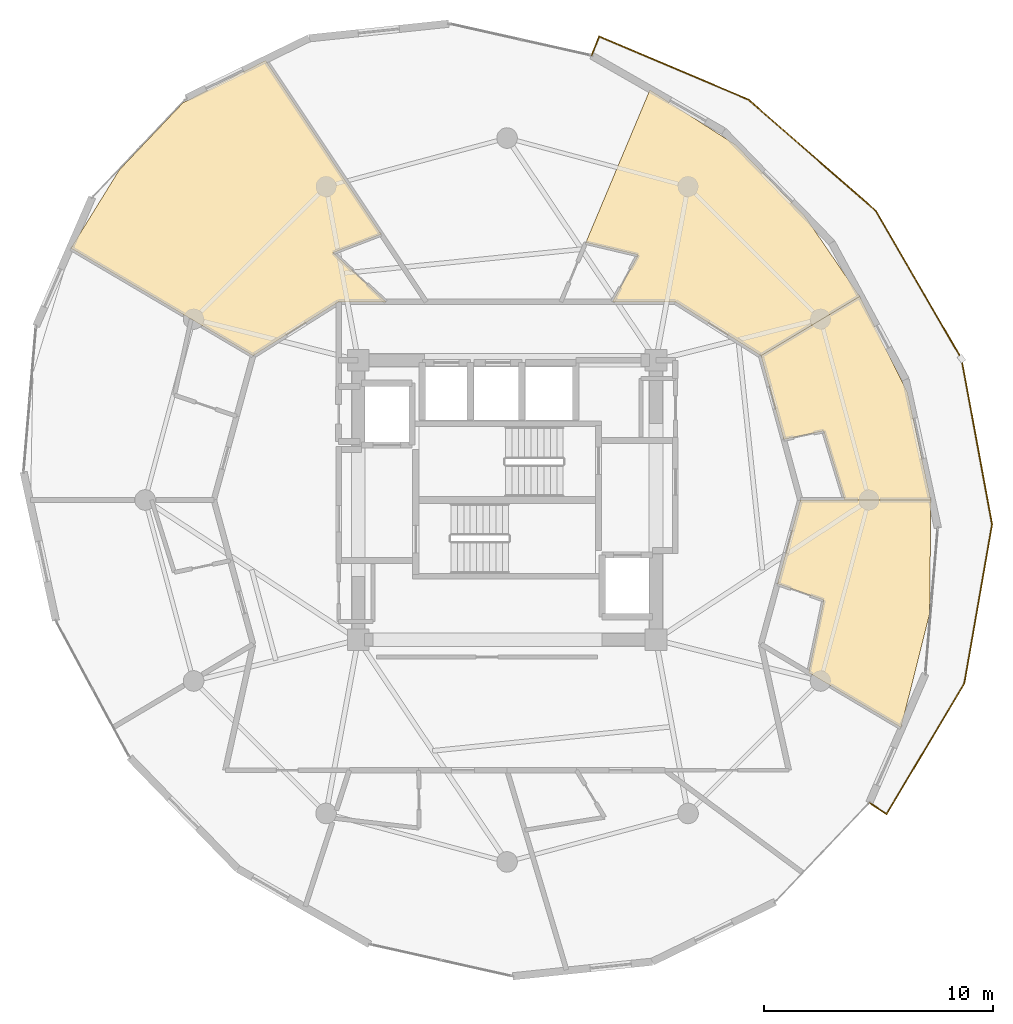
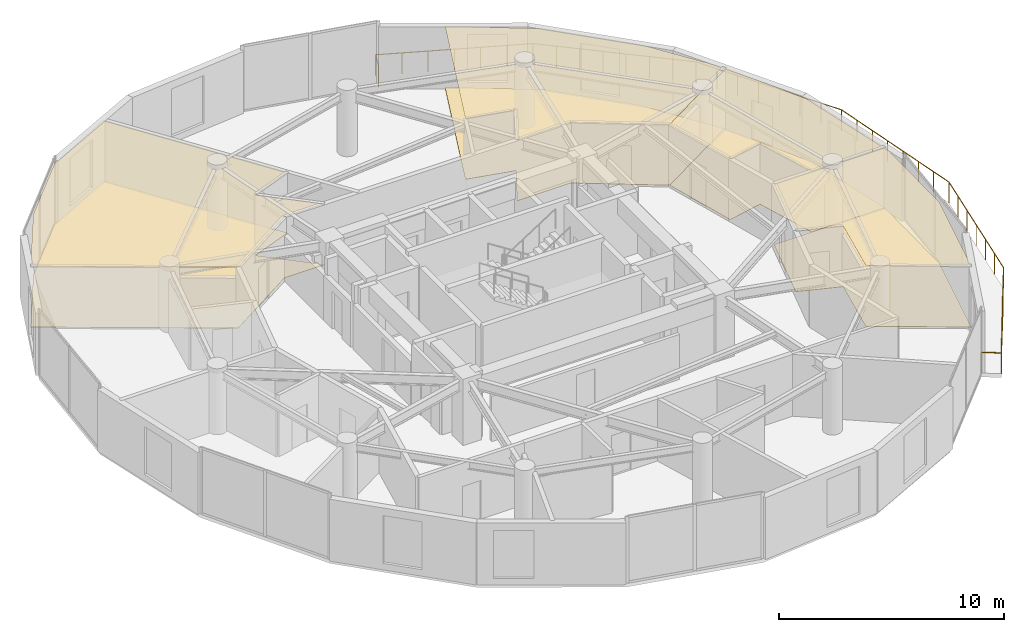
# One storey, part 23 of 23: 8 coverings, 1 railing.
"""IFC4 building model written with IfcOpenShell, lengths in metres."""

from ifc_helpers import new_model, si_unit, direction, frame, origin, origin_2d, place, context, subcontext, project, spatial, polyline, circle, outline, extrude, material, layer, layer_set, type_object, element, save


model = new_model("IFC4")

# Units and contexts
model_context = context("Model", 3, precision=1e-05, world=origin(), true_north=direction((0.0, 1.0)))
body_context = subcontext(model_context, "Body", "Model", "MODEL_VIEW")
ifc_project = project(units=[si_unit("LENGTHUNIT", "METRE"), si_unit("AREAUNIT", "SQUARE_METRE"), si_unit("VOLUMEUNIT", "CUBIC_METRE"), si_unit("PLANEANGLEUNIT", "RADIAN"), si_unit("MASSUNIT", "GRAM", prefix="KILO")], contexts=[model_context])

# Site, building, storey
site_placement = place(None, origin())
site = spatial("IfcSite", under=ifc_project, at=site_placement, CompositionType="ELEMENT")
building_placement = place(site_placement, origin())
building = spatial("IfcBuilding", under=site, at=building_placement, Name="Solvirekh Grand Hotel", CompositionType="ELEMENT")
storey_placement = place(building_placement, frame((0.0, 0.0, 180.39990234375)))
storey = spatial("IfcBuildingStorey", under=building, at=storey_placement, Name="L46", CompositionType="ELEMENT", Elevation=180.39990234375)

# Coverings
ifc_material_1 = material(Name="Acoustic Mineral Ceiling Tile")
ifc_layer_1 = layer(ifc_material_1, 0.02490234375)
ifc_layer_set_1 = layer_set([ifc_layer_1], Name="Acoustic Mineral Ceiling Tile")
covering_type_1 = type_object("IfcCoveringType", Name="Cov_Ceiling_Acoustic", PredefinedType="CEILING", material=ifc_layer_set_1)
covering_1_placement = place(storey_placement, frame((0.0, 0.0, 3.31005859375)))
element("IfcCovering", 1, at=covering_1_placement, inside=storey, type_object=covering_type_1, Name="L46 Deluxe Guestroom 4801 acoustic ceiling", PredefinedType="CEILING", context=body_context, shape_type="SweptSolid", body=[
    extrude(outline(polyline([(2.35205078125, 8.64990234375), (3.43896484375, 11.239013671875), (5.721923828125, 10.698974609375), (4.60205078125, 8.64990234375), (7.35009765625, 8.64990234375), (11.0849609375, 6.300048828125), (15.39404296875, 8.887939453125), (13.0029296875, 12.382080078125), (9.986083984375, 15.4951171875), (6.23291015625, 17.89794921875), (2.35205078125, 8.64990234375)])), origin(), (0.0, 0.0, 1.0), 0.01806640625),
])
covering_2_placement = place(storey_placement, frame((0.0, 0.0, 3.31005859375)))
element("IfcCovering", 2, at=covering_2_placement, inside=storey, type_object=covering_type_1, Name="L46 Deluxe Guestroom 4802 acoustic ceiling", PredefinedType="CEILING", context=body_context, shape_type="SweptSolid", body=[
    extrude(outline(polyline([(-5.285888671875, 8.64990234375), (-7.591064453125, 10.7958984375), (-5.492919921875, 11.60009765625), (-10.5458984375, 19.18408203125), (-14.14306640625, 17.342041015625), (-16.927001953125, 14.406005859375), (-19.037109375, 10.990966796875), (-11.0849609375, 6.300048828125), (-7.35009765625, 8.64990234375), (-5.285888671875, 8.64990234375)])), origin(), (0.0, 0.0, 1.0), 0.01806640625),
])
covering_3_placement = place(storey_placement, frame((0.0, 0.0, 3.31005859375)))
element("IfcCovering", 3, at=covering_3_placement, inside=storey, type_object=covering_type_1, Name="L46 Deluxe Guestroom 4805 acoustic ceiling", PredefinedType="CEILING", context=body_context, shape_type="SweptSolid", body=[
    extrude(outline(polyline([(13.824951171875, -4.3701171875), (13.1640625, -7.533935546875), (17.198974609375, -9.929931640625), (18.447021484375, -4.943115234375), (18.4990234375, 0.0), (12.800048828125, 0.0), (11.804931640625, -3.654052734375), (13.824951171875, -4.3701171875)])), origin(), (0.0, 0.0, 1.0), 0.01806640625),
])
covering_4_placement = place(storey_placement, frame((0.0, 0.0, 3.31005859375)))
element("IfcCovering", 4, at=covering_4_placement, inside=storey, type_object=covering_type_1, Name="L46 Deluxe Guestroom 4806 acoustic ceiling", PredefinedType="CEILING", context=body_context, shape_type="SweptSolid", body=[
    extrude(outline(polyline([(13.819091796875, 3.01611328125), (14.738037109375, 0.0), (18.4990234375, 0.0), (17.48193359375, 4.68408203125), (15.39404296875, 8.887939453125), (11.0849609375, 6.300048828125), (12.080078125, 2.64599609375), (13.819091796875, 3.01611328125)])), origin(), (0.0, 0.0, 1.0), 0.01806640625),
])
ifc_material_2 = material(Name="Porcelain Stoneware Flooring", Category="masonry")
ifc_layer_2 = layer(ifc_material_2, 0.030029296875)
ifc_layer_set_2 = layer_set([ifc_layer_2], Name="Porcelain Stoneware Flooring")
covering_type_2 = type_object("IfcCoveringType", Name="Cov_Floor_Stone", PredefinedType="FLOORING", material=ifc_layer_set_2)
covering_5_placement = place(storey_placement, origin())
element("IfcCovering", 5, at=covering_5_placement, inside=storey, type_object=covering_type_2, Name="L46 Deluxe Guestroom 4801 polished granite flooring", PredefinedType="FLOORING", context=body_context, shape_type="SweptSolid", body=[
    extrude(outline(polyline([(2.35205078125, 8.64990234375), (3.43896484375, 11.239013671875), (5.721923828125, 10.698974609375), (4.60205078125, 8.64990234375), (7.35009765625, 8.64990234375), (11.0849609375, 6.300048828125), (15.39404296875, 8.887939453125), (13.0029296875, 12.382080078125), (9.986083984375, 15.4951171875), (6.23291015625, 17.89794921875), (2.35205078125, 8.64990234375)])), origin(), (0.0, 0.0, 1.0), 0.02001953125),
])
covering_6_placement = place(storey_placement, origin())
element("IfcCovering", 6, at=covering_6_placement, inside=storey, type_object=covering_type_2, Name="L46 Deluxe Guestroom 4802 polished granite flooring", PredefinedType="FLOORING", context=body_context, shape_type="SweptSolid", body=[
    extrude(outline(polyline([(-5.285888671875, 8.64990234375), (-7.591064453125, 10.7958984375), (-5.492919921875, 11.60009765625), (-10.5458984375, 19.18408203125), (-14.14306640625, 17.342041015625), (-16.927001953125, 14.406005859375), (-19.037109375, 10.990966796875), (-11.0849609375, 6.300048828125), (-7.35009765625, 8.64990234375), (-5.285888671875, 8.64990234375)])), origin(), (0.0, 0.0, 1.0), 0.02001953125),
])
covering_7_placement = place(storey_placement, origin())
element("IfcCovering", 7, at=covering_7_placement, inside=storey, type_object=covering_type_2, Name="L46 Deluxe Guestroom 4805 polished granite flooring", PredefinedType="FLOORING", context=body_context, shape_type="SweptSolid", body=[
    extrude(outline(polyline([(13.824951171875, -4.3701171875), (13.1640625, -7.533935546875), (17.198974609375, -9.929931640625), (18.447021484375, -4.943115234375), (18.4990234375, 0.0), (12.800048828125, 0.0), (11.804931640625, -3.654052734375), (13.824951171875, -4.3701171875)])), origin(), (0.0, 0.0, 1.0), 0.02001953125),
])
covering_8_placement = place(storey_placement, origin())
element("IfcCovering", 8, at=covering_8_placement, inside=storey, type_object=covering_type_2, Name="L46 Deluxe Guestroom 4806 polished granite flooring", PredefinedType="FLOORING", context=body_context, shape_type="SweptSolid", body=[
    extrude(outline(polyline([(13.819091796875, 3.01611328125), (14.738037109375, 0.0), (18.4990234375, 0.0), (17.48193359375, 4.68408203125), (15.39404296875, 8.887939453125), (11.0849609375, 6.300048828125), (12.080078125, 2.64599609375), (13.819091796875, 3.01611328125)])), origin(), (0.0, 0.0, 1.0), 0.02001953125),
])

# Railing
ifc_material_3 = material(Name="Anodized Bronze Aluminium 6063-T6", Category="aluminium")
railing_type = type_object("IfcRailingType", Name="Guard_ExtGlass_1150", PredefinedType="BALUSTRADE", material=ifc_material_3)
railing_placement = place(storey_placement, frame((15.81396484375, -13.212890625, 0.0)))
element("IfcRailing", 9, at=railing_placement, inside=storey, type_object=railing_type, Name="L46 balc perimeter glass balustrade", PredefinedType="BALUSTRADE", context=body_context, shape_type="SweptSolid", body=[
    extrude(circle(Radius=0.02392578125, at=origin_2d()), frame((0.0, 0.0, 1.1259765625), z_axis=(0.835207319197, -0.549935208874, 0.0), x_axis=(0.549935208874, 0.835207319197, 0.0)), (0.0, 0.0, 1.0), 0.900390625),
    extrude(circle(Radius=0.02392578125, at=origin_2d()), frame((0.751953125, -0.4951171875, 1.1259765625), z_axis=(0.511790135665, 0.859110503391, 0.0), x_axis=(-0.859110503391, 0.511790135665, 0.0)), (0.0, 0.0, 1.0), 6.6279296875),
    extrude(circle(Radius=0.02392578125, at=origin_2d()), frame((4.14404296875, 5.198974609375, 1.1259765625), z_axis=(0.172110840588, 0.985077590118, 0.0), x_axis=(-0.985077590118, 0.172110840588, 0.0)), (0.0, 0.0, 1.0), 7.05419921875),
    extrude(circle(Radius=0.02392578125, at=origin_2d()), frame((5.358154296875, 12.14794921875, 1.1259765625), z_axis=(-0.181790922719, 0.983337205854, 0.0), x_axis=(-0.983337205854, -0.181790922719, 0.0)), (0.0, 0.0, 1.0), 7.35546875),
    extrude(circle(Radius=0.02392578125, at=origin_2d()), frame((4.02099609375, 19.380859375, 1.1259765625), z_axis=(-0.501336253249, 0.86525254185, 0.0), x_axis=(-0.86525254185, -0.501336253249, 0.0)), (0.0, 0.0, 1.0), 7.47412109375),
    extrude(circle(Radius=0.02392578125, at=origin_2d()), frame((0.27392578125, 25.847900390625, 1.1259765625), z_axis=(-0.753776511915, 0.657130862222, 0.0), x_axis=(-0.657130862222, -0.753776511915, 0.0)), (0.0, 0.0, 1.0), 7.37890625),
    extrude(circle(Radius=0.02392578125, at=origin_2d()), frame((-5.2880859375, 30.69677734375, 1.1259765625), z_axis=(-0.921023513433, 0.389506980302, 0.0), x_axis=(-0.389506980302, -0.921023513433, 0.0)), (0.0, 0.0, 1.0), 7.06591796875),
    extrude(circle(Radius=0.02392578125, at=origin_2d()), frame((-11.7958984375, 33.448974609375, 1.1259765625), z_axis=(-0.364552752471, -0.931182737526, 0.0), x_axis=(0.931182737526, -0.364552752471, 0.0)), (0.0, 0.0, 1.0), 0.900146484375),
    extrude(circle(Radius=0.02099609375, at=origin_2d()), origin(), (0.0, 0.0, 1.0), 1.101806640625),
    extrude(circle(Radius=0.02099609375, at=origin_2d()), frame((0.751953125, -0.4951171875, 0.0)), (0.0, 0.0, 1.0), 1.101806640625),
    extrude(circle(Radius=0.02099609375, at=origin_2d()), frame((1.3173828125, 0.453857421875, 0.0)), (0.0, 0.0, 1.0), 1.101806640625),
    extrude(circle(Radius=0.02099609375, at=origin_2d()), frame((1.882568359375, 1.40283203125, 0.0)), (0.0, 0.0, 1.0), 1.101806640625),
    extrude(circle(Radius=0.02099609375, at=origin_2d()), frame((2.447998046875, 2.35205078125, 0.0)), (0.0, 0.0, 1.0), 1.101806640625),
    extrude(circle(Radius=0.02099609375, at=origin_2d()), frame((3.013427734375, 3.301025390625, 0.0)), (0.0, 0.0, 1.0), 1.101806640625),
    extrude(circle(Radius=0.02099609375, at=origin_2d()), frame((3.57861328125, 4.25, 0.0)), (0.0, 0.0, 1.0), 1.101806640625),
    extrude(circle(Radius=0.02099609375, at=origin_2d()), frame((4.14404296875, 5.198974609375, 0.0)), (0.0, 0.0, 1.0), 1.101806640625),
    extrude(circle(Radius=0.02099609375, at=origin_2d()), frame((4.346435546875, 6.357177734375, 0.0)), (0.0, 0.0, 1.0), 1.101806640625),
    extrude(circle(Radius=0.02099609375, at=origin_2d()), frame((4.548828125, 7.515380859375, 0.0)), (0.0, 0.0, 1.0), 1.101806640625),
    extrude(circle(Radius=0.02099609375, at=origin_2d()), frame((4.7509765625, 8.67333984375, 0.0)), (0.0, 0.0, 1.0), 1.101806640625),
    extrude(circle(Radius=0.02099609375, at=origin_2d()), frame((4.953369140625, 9.83154296875, 0.0)), (0.0, 0.0, 1.0), 1.101806640625),
    extrude(circle(Radius=0.02099609375, at=origin_2d()), frame((5.15576171875, 10.98974609375, 0.0)), (0.0, 0.0, 1.0), 1.101806640625),
    extrude(circle(Radius=0.02099609375, at=origin_2d()), frame((5.358154296875, 12.14794921875, 0.0)), (0.0, 0.0, 1.0), 1.101806640625),
    extrude(circle(Radius=0.02099609375, at=origin_2d()), frame((5.167236328125, 13.18115234375, 0.0)), (0.0, 0.0, 1.0), 1.101806640625),
    extrude(circle(Radius=0.02099609375, at=origin_2d()), frame((4.97607421875, 14.214599609375, 0.0)), (0.0, 0.0, 1.0), 1.101806640625),
    extrude(circle(Radius=0.02099609375, at=origin_2d()), frame((4.78515625, 15.247802734375, 0.0)), (0.0, 0.0, 1.0), 1.101806640625),
    extrude(circle(Radius=0.02099609375, at=origin_2d()), frame((4.593994140625, 16.281005859375, 0.0)), (0.0, 0.0, 1.0), 1.101806640625),
    extrude(circle(Radius=0.02099609375, at=origin_2d()), frame((4.403076171875, 17.314208984375, 0.0)), (0.0, 0.0, 1.0), 1.101806640625),
    extrude(circle(Radius=0.02099609375, at=origin_2d()), frame((4.2119140625, 18.34765625, 0.0)), (0.0, 0.0, 1.0), 1.101806640625),
    extrude(circle(Radius=0.02099609375, at=origin_2d()), frame((4.02099609375, 19.380859375, 0.0)), (0.0, 0.0, 1.0), 1.101806640625),
    extrude(circle(Radius=0.02099609375, at=origin_2d()), frame((3.485595703125, 20.3046875, 0.0)), (0.0, 0.0, 1.0), 1.101806640625),
    extrude(circle(Radius=0.02099609375, at=origin_2d()), frame((2.950439453125, 21.228515625, 0.0)), (0.0, 0.0, 1.0), 1.101806640625),
    extrude(circle(Radius=0.02099609375, at=origin_2d()), frame((2.4150390625, 22.15234375, 0.0)), (0.0, 0.0, 1.0), 1.101806640625),
    extrude(circle(Radius=0.02099609375, at=origin_2d()), frame((1.8798828125, 23.076416015625, 0.0)), (0.0, 0.0, 1.0), 1.101806640625),
    extrude(circle(Radius=0.02099609375, at=origin_2d()), frame((1.344482421875, 24.000244140625, 0.0)), (0.0, 0.0, 1.0), 1.101806640625),
    extrude(circle(Radius=0.02099609375, at=origin_2d()), frame((0.809326171875, 24.924072265625, 0.0)), (0.0, 0.0, 1.0), 1.101806640625),
    extrude(circle(Radius=0.02099609375, at=origin_2d()), frame((0.27392578125, 25.847900390625, 0.0)), (0.0, 0.0, 1.0), 1.101806640625),
    extrude(circle(Radius=0.02099609375, at=origin_2d()), frame((-0.520751953125, 26.54052734375, 0.0)), (0.0, 0.0, 1.0), 1.101806640625),
    extrude(circle(Radius=0.02099609375, at=origin_2d()), frame((-1.315185546875, 27.2333984375, 0.0)), (0.0, 0.0, 1.0), 1.101806640625),
    extrude(circle(Radius=0.02099609375, at=origin_2d()), frame((-2.10986328125, 27.926025390625, 0.0)), (0.0, 0.0, 1.0), 1.101806640625),
    extrude(circle(Radius=0.02099609375, at=origin_2d()), frame((-2.904296875, 28.61865234375, 0.0)), (0.0, 0.0, 1.0), 1.101806640625),
    extrude(circle(Radius=0.02099609375, at=origin_2d()), frame((-3.698974609375, 29.311279296875, 0.0)), (0.0, 0.0, 1.0), 1.101806640625),
    extrude(circle(Radius=0.02099609375, at=origin_2d()), frame((-4.493408203125, 30.004150390625, 0.0)), (0.0, 0.0, 1.0), 1.101806640625),
    extrude(circle(Radius=0.02099609375, at=origin_2d()), frame((-5.2880859375, 30.69677734375, 0.0)), (0.0, 0.0, 1.0), 1.101806640625),
    extrude(circle(Radius=0.02099609375, at=origin_2d()), frame((-6.372802734375, 31.155517578125, 0.0)), (0.0, 0.0, 1.0), 1.101806640625),
    extrude(circle(Radius=0.02099609375, at=origin_2d()), frame((-7.457275390625, 31.6142578125, 0.0)), (0.0, 0.0, 1.0), 1.101806640625),
    extrude(circle(Radius=0.02099609375, at=origin_2d()), frame((-8.5419921875, 32.07275390625, 0.0)), (0.0, 0.0, 1.0), 1.101806640625),
    extrude(circle(Radius=0.02099609375, at=origin_2d()), frame((-9.626708984375, 32.531494140625, 0.0)), (0.0, 0.0, 1.0), 1.101806640625),
    extrude(circle(Radius=0.02099609375, at=origin_2d()), frame((-10.711181640625, 32.990234375, 0.0)), (0.0, 0.0, 1.0), 1.101806640625),
    extrude(circle(Radius=0.02099609375, at=origin_2d()), frame((-11.7958984375, 33.448974609375, 0.0)), (0.0, 0.0, 1.0), 1.101806640625),
    extrude(circle(Radius=0.02099609375, at=origin_2d()), frame((-12.1240234375, 32.61083984375, 0.0)), (0.0, 0.0, 1.0), 1.101806640625),
])

save(model, "model.ifc")
